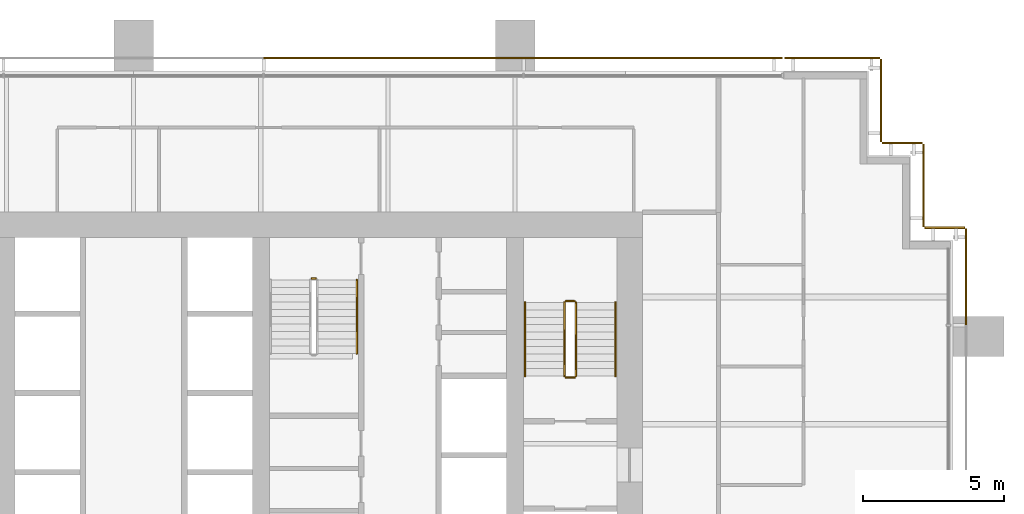
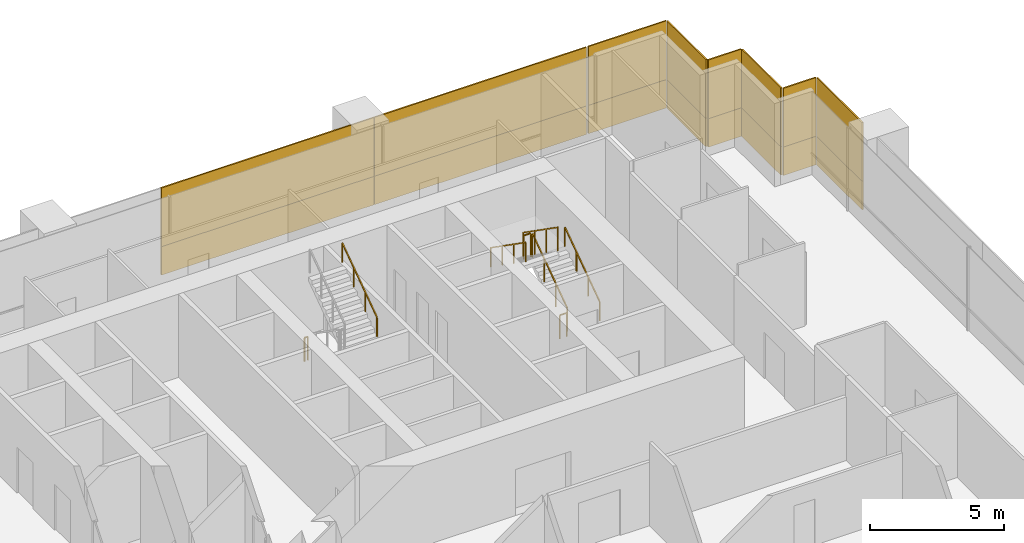
# One storey, part 18 of 18: 16 coverings, 8 railings.
"""IFC4 building model written with IfcOpenShell, lengths in metres."""

from ifc_helpers import new_model, si_unit, direction, frame, origin, origin_2d, place, context, subcontext, project, spatial, rectangle, extrude, material, layer, layer_set, type_object, element, save


model = new_model("IFC4")

# Units and contexts
model_context = context("Model", 3, precision=1e-05, world=origin(), true_north=direction((0.0, 1.0)))
body_context = subcontext(model_context, "Body", "Model", "MODEL_VIEW")
ifc_project = project(units=[si_unit("LENGTHUNIT", "METRE"), si_unit("AREAUNIT", "SQUARE_METRE"), si_unit("VOLUMEUNIT", "CUBIC_METRE"), si_unit("PLANEANGLEUNIT", "RADIAN"), si_unit("MASSUNIT", "GRAM", prefix="KILO")], contexts=[model_context])

# Site, building, storey
site_placement = place(None, origin())
site = spatial("IfcSite", under=ifc_project, at=site_placement, CompositionType="ELEMENT")
building_placement = place(site_placement, origin())
building = spatial("IfcBuilding", under=site, at=building_placement, Name="Rattan Terrace Tower", CompositionType="ELEMENT")
storey_placement = place(building_placement, frame((0.0, 0.0, 134.10009765625)))
storey = spatial("IfcBuildingStorey", under=building, at=storey_placement, Name="L30", CompositionType="ELEMENT", Elevation=134.10009765625)

# Railings
ifc_material_1 = material(Name="Powder-coated steel guard", Category="steel")
railing_type_1 = type_object("IfcRailingType", Name="Core stair guard", PredefinedType="GUARDRAIL", material=ifc_material_1)
railing_1_placement = place(storey_placement, frame((15.64990234375, 1.699951171875, 0.181640625)))
element("IfcRailing", 1, at=railing_1_placement, inside=storey, type_object=railing_type_1, Name="L30 S2 stair guard 1", PredefinedType="GUARDRAIL", context=body_context, shape_type="SweptSolid", body=[
    extrude(rectangle(XDim=0.048095703125, YDim=0.048095703125, at=origin_2d()), frame((0.0, 0.0, 1.076171875), z_axis=(0.0, 0.819484887739, 0.573100792852), x_axis=(-1.0, 0.0, 0.0)), (0.0, 0.0, 1.0), 3.1728515625),
    extrude(rectangle(XDim=0.0419921875, YDim=0.0419921875, at=origin_2d()), origin(), (0.0, 0.0, 1.0), 1.052001953125),
    extrude(rectangle(XDim=0.0419921875, YDim=0.0419921875, at=origin_2d()), frame((0.0, 0.86669921875, 0.606201171875)), (0.0, 0.0, 1.0), 1.052001953125),
    extrude(rectangle(XDim=0.0419921875, YDim=0.0419921875, at=origin_2d()), frame((0.0, 1.7333984375, 1.212158203125)), (0.0, 0.0, 1.0), 1.052001953125),
    extrude(rectangle(XDim=0.0419921875, YDim=0.0419921875, at=origin_2d()), frame((0.0, 2.60009765625, 1.818359375)), (0.0, 0.0, 1.0), 1.052001953125),
])
railing_2_placement = place(storey_placement, frame((15.60009765625, 4.35009765625, 2.0)))
element("IfcRailing", 2, at=railing_2_placement, inside=storey, type_object=railing_type_1, Name="L30 S2 stair guard 2", PredefinedType="GUARDRAIL", context=body_context, shape_type="SweptSolid", body=[
    extrude(rectangle(XDim=0.048095703125, YDim=0.048095703125, at=origin_2d()), frame((0.0, 0.0, 1.076171875), z_axis=(-1.0, 0.0, 0.0), x_axis=(0.0, -1.0, 0.0)), (0.0, 0.0, 1.0), 0.300048828125),
    extrude(rectangle(XDim=0.0419921875, YDim=0.0419921875, at=origin_2d()), origin(), (0.0, 0.0, 1.0), 1.052001953125),
    extrude(rectangle(XDim=0.0419921875, YDim=0.0419921875, at=origin_2d()), frame((-0.300048828125, 0.0, 0.0)), (0.0, 0.0, 1.0), 1.052001953125),
])
railing_3_placement = place(storey_placement, frame((15.25, 4.300048828125, 2.181640625)))
element("IfcRailing", 3, at=railing_3_placement, inside=storey, type_object=railing_type_1, Name="L30 S2 stair guard 3", PredefinedType="GUARDRAIL", context=body_context, shape_type="SweptSolid", body=[
    extrude(rectangle(XDim=0.048095703125, YDim=0.048095703125, at=origin_2d()), frame((0.0, 0.0, 1.076171875), z_axis=(0.0, -0.819484887739, 0.573100792852), x_axis=(1.0, 0.0, 0.0)), (0.0, 0.0, 1.0), 3.1728515625),
    extrude(rectangle(XDim=0.0419921875, YDim=0.0419921875, at=origin_2d()), origin(), (0.0, 0.0, 1.0), 1.052001953125),
    extrude(rectangle(XDim=0.0419921875, YDim=0.0419921875, at=origin_2d()), frame((0.0, -0.86669921875, 0.606201171875)), (0.0, 0.0, 1.0), 1.052001953125),
    extrude(rectangle(XDim=0.0419921875, YDim=0.0419921875, at=origin_2d()), frame((0.0, -1.7333984375, 1.212158203125)), (0.0, 0.0, 1.0), 1.052001953125),
    extrude(rectangle(XDim=0.0419921875, YDim=0.0419921875, at=origin_2d()), frame((0.0, -2.60009765625, 1.818359375)), (0.0, 0.0, 1.0), 1.052001953125),
])
railing_4_placement = place(storey_placement, frame((15.60009765625, 1.64990234375, 0.0)))
element("IfcRailing", 4, at=railing_4_placement, inside=storey, type_object=railing_type_1, Name="L30 S2 stair guard 4", PredefinedType="GUARDRAIL", context=body_context, shape_type="SweptSolid", body=[
    extrude(rectangle(XDim=0.048095703125, YDim=0.048095703125, at=origin_2d()), frame((0.0, 0.0, 1.076171875), z_axis=(-1.0, 0.0, 0.0), x_axis=(0.0, -1.0, 0.0)), (0.0, 0.0, 1.0), 0.300048828125),
    extrude(rectangle(XDim=0.0419921875, YDim=0.0419921875, at=origin_2d()), origin(), (0.0, 0.0, 1.0), 1.052001953125),
    extrude(rectangle(XDim=0.0419921875, YDim=0.0419921875, at=origin_2d()), frame((-0.300048828125, 0.0, 0.0)), (0.0, 0.0, 1.0), 1.052001953125),
])
railing_5_placement = place(storey_placement, frame((6.300048828125, 5.14990234375, 0.0)))
element("IfcRailing", 5, at=railing_5_placement, inside=storey, type_object=railing_type_1, Name="L30 S3 stair guard 4", PredefinedType="GUARDRAIL", context=body_context, shape_type="SweptSolid", body=[
    extrude(rectangle(XDim=0.048095703125, YDim=0.048095703125, at=origin_2d()), frame((0.0, 0.0, 1.076171875), z_axis=(1.0, 0.0, 0.0), x_axis=(0.0, 1.0, 0.0)), (0.0, 0.0, 1.0), 0.14990234375),
    extrude(rectangle(XDim=0.0419921875, YDim=0.0419921875, at=origin_2d()), origin(), (0.0, 0.0, 1.0), 1.052001953125),
    extrude(rectangle(XDim=0.0419921875, YDim=0.0419921875, at=origin_2d()), frame((0.14990234375, 0.0, 0.0)), (0.0, 0.0, 1.0), 1.052001953125),
])
ifc_material_2 = material(Name="Powder-coated steel handrail", Category="steel")
railing_type_2 = type_object("IfcRailingType", Name="Core stair handrail", PredefinedType="HANDRAIL", material=ifc_material_2)
railing_6_placement = place(storey_placement, frame((17.050048828125, 1.699951171875, 0.181640625)))
element("IfcRailing", 6, at=railing_6_placement, inside=storey, type_object=railing_type_2, Name="L30 S2 stair handrail 1", PredefinedType="HANDRAIL", context=body_context, shape_type="SweptSolid", body=[
    extrude(rectangle(XDim=0.048095703125, YDim=0.048095703125, at=origin_2d()), frame((0.0, 0.0, 0.8759765625), z_axis=(0.0, 0.819484887739, 0.573100792852), x_axis=(-1.0, 0.0, 0.0)), (0.0, 0.0, 1.0), 3.1728515625),
    extrude(rectangle(XDim=0.0419921875, YDim=0.0419921875, at=origin_2d()), origin(), (0.0, 0.0, 1.0), 0.851806640625),
    extrude(rectangle(XDim=0.0419921875, YDim=0.0419921875, at=origin_2d()), frame((0.0, 0.86669921875, 0.606201171875)), (0.0, 0.0, 1.0), 0.851806640625),
    extrude(rectangle(XDim=0.0419921875, YDim=0.0419921875, at=origin_2d()), frame((0.0, 1.7333984375, 1.212158203125)), (0.0, 0.0, 1.0), 0.851806640625),
    extrude(rectangle(XDim=0.0419921875, YDim=0.0419921875, at=origin_2d()), frame((0.0, 2.60009765625, 1.818359375)), (0.0, 0.0, 1.0), 0.851806640625),
])
railing_7_placement = place(storey_placement, frame((13.85009765625, 4.300048828125, 2.181640625)))
element("IfcRailing", 7, at=railing_7_placement, inside=storey, type_object=railing_type_2, Name="L30 S2 stair handrail 2", PredefinedType="HANDRAIL", context=body_context, shape_type="SweptSolid", body=[
    extrude(rectangle(XDim=0.048095703125, YDim=0.048095703125, at=origin_2d()), frame((0.0, 0.0, 0.8759765625), z_axis=(0.0, -0.819484887739, 0.573100792852), x_axis=(1.0, 0.0, 0.0)), (0.0, 0.0, 1.0), 3.1728515625),
    extrude(rectangle(XDim=0.0419921875, YDim=0.0419921875, at=origin_2d()), origin(), (0.0, 0.0, 1.0), 0.851806640625),
    extrude(rectangle(XDim=0.0419921875, YDim=0.0419921875, at=origin_2d()), frame((0.0, -0.86669921875, 0.606201171875)), (0.0, 0.0, 1.0), 0.851806640625),
    extrude(rectangle(XDim=0.0419921875, YDim=0.0419921875, at=origin_2d()), frame((0.0, -1.7333984375, 1.212158203125)), (0.0, 0.0, 1.0), 0.851806640625),
    extrude(rectangle(XDim=0.0419921875, YDim=0.0419921875, at=origin_2d()), frame((0.0, -2.60009765625, 1.818359375)), (0.0, 0.0, 1.0), 0.851806640625),
])
railing_8_placement = place(storey_placement, frame((7.89990234375, 2.5, 2.181640625)))
element("IfcRailing", 8, at=railing_8_placement, inside=storey, type_object=railing_type_2, Name="L30 S3 stair handrail 2", PredefinedType="HANDRAIL", context=body_context, shape_type="SweptSolid", body=[
    extrude(rectangle(XDim=0.048095703125, YDim=0.048095703125, at=origin_2d()), frame((0.0, 0.0, 0.8759765625), z_axis=(0.0, 0.819484887739, 0.573100792852), x_axis=(-1.0, 0.0, 0.0)), (0.0, 0.0, 1.0), 3.1728515625),
    extrude(rectangle(XDim=0.0419921875, YDim=0.0419921875, at=origin_2d()), origin(), (0.0, 0.0, 1.0), 0.851806640625),
    extrude(rectangle(XDim=0.0419921875, YDim=0.0419921875, at=origin_2d()), frame((0.0, 0.86669921875, 0.606201171875)), (0.0, 0.0, 1.0), 0.851806640625),
    extrude(rectangle(XDim=0.0419921875, YDim=0.0419921875, at=origin_2d()), frame((0.0, 1.7333984375, 1.212158203125)), (0.0, 0.0, 1.0), 0.851806640625),
    extrude(rectangle(XDim=0.0419921875, YDim=0.0419921875, at=origin_2d()), frame((0.0, 2.60009765625, 1.818359375)), (0.0, 0.0, 1.0), 0.851806640625),
])

# Coverings
ifc_material_3 = material(Name="Solid terracotta", Category="masonry")
ifc_layer_1 = layer(ifc_material_3, 0.06005859375)
ifc_layer_set_1 = layer_set([ifc_layer_1], Name="Facade Terracotta Band Panel")
covering_type_1 = type_object("IfcCoveringType", Name="Facade Terracotta Band Panel", PredefinedType="CLADDING", material=ifc_layer_set_1)
covering_1_placement = place(storey_placement, frame((29.449951171875, 5.2099609375, -0.18994140625), z_axis=(0.0, 0.0, 1.0), x_axis=(0.0, 1.0, 0.0)))
element("IfcCovering", 9, at=covering_1_placement, inside=storey, type_object=covering_type_1, Name="OUTER SKIN panel L30-9A", PredefinedType="CLADDING", context=body_context, shape_type="SweptSolid", body=[
    extrude(rectangle(XDim=3.39990234375, YDim=0.06005859375, at=origin_2d()), origin(), (0.0, 0.0, 1.0), 1.300048828125),
])
covering_2_placement = place(storey_placement, frame((28.699951171875, 6.949951171875, -0.18994140625), z_axis=(0.0, 0.0, 1.0), x_axis=(-1.0, 0.0, 0.0)))
element("IfcCovering", 10, at=covering_2_placement, inside=storey, type_object=covering_type_1, Name="OUTER SKIN panel L30-10A", PredefinedType="CLADDING", context=body_context, shape_type="SweptSolid", body=[
    extrude(rectangle(XDim=1.419921875, YDim=0.06005859375, at=origin_2d()), origin(), (0.0, 0.0, 1.0), 1.300048828125),
])
covering_3_placement = place(storey_placement, frame((27.949951171875, 8.449951171875, -0.18994140625), z_axis=(0.0, 0.0, 1.0), x_axis=(0.0, 1.0, 0.0)))
element("IfcCovering", 11, at=covering_3_placement, inside=storey, type_object=covering_type_1, Name="OUTER SKIN panel L30-11A", PredefinedType="CLADDING", context=body_context, shape_type="SweptSolid", body=[
    extrude(rectangle(XDim=2.919921875, YDim=0.06005859375, at=origin_2d()), origin(), (0.0, 0.0, 1.0), 1.300048828125),
])
covering_4_placement = place(storey_placement, frame((27.199951171875, 9.949951171875, -0.18994140625), z_axis=(0.0, 0.0, 1.0), x_axis=(-1.0, 0.0, 0.0)))
element("IfcCovering", 12, at=covering_4_placement, inside=storey, type_object=covering_type_1, Name="OUTER SKIN panel L30-12A", PredefinedType="CLADDING", context=body_context, shape_type="SweptSolid", body=[
    extrude(rectangle(XDim=1.419921875, YDim=0.06005859375, at=origin_2d()), origin(), (0.0, 0.0, 1.0), 1.300048828125),
])
covering_5_placement = place(storey_placement, frame((26.449951171875, 11.449951171875, -0.18994140625), z_axis=(0.0, 0.0, 1.0), x_axis=(0.0, 1.0, 0.0)))
element("IfcCovering", 13, at=covering_5_placement, inside=storey, type_object=covering_type_1, Name="OUTER SKIN panel L30-13A", PredefinedType="CLADDING", context=body_context, shape_type="SweptSolid", body=[
    extrude(rectangle(XDim=2.919921875, YDim=0.06005859375, at=origin_2d()), origin(), (0.0, 0.0, 1.0), 1.300048828125),
])
covering_6_placement = place(storey_placement, frame((24.72509765625, 12.949951171875, -0.18994140625), z_axis=(0.0, 0.0, 1.0), x_axis=(-1.0, 0.0, 0.0)))
element("IfcCovering", 14, at=covering_6_placement, inside=storey, type_object=covering_type_1, Name="OUTER SKIN panel L30-14A", PredefinedType="CLADDING", context=body_context, shape_type="SweptSolid", body=[
    extrude(rectangle(XDim=3.3701171875, YDim=0.06005859375, at=origin_2d()), origin(), (0.0, 0.0, 1.0), 1.300048828125),
])
covering_7_placement = place(storey_placement, frame((18.384521484375, 12.949951171875, -0.18994140625), z_axis=(0.0, 0.0, 1.0), x_axis=(-1.0, 0.0, 0.0)))
element("IfcCovering", 15, at=covering_7_placement, inside=storey, type_object=covering_type_1, Name="OUTER SKIN panel L30-15A", PredefinedType="CLADDING", context=body_context, shape_type="SweptSolid", body=[
    extrude(rectangle(XDim=9.15087890625, YDim=0.06005859375, at=origin_2d()), origin(), (0.0, 0.0, 1.0), 1.300048828125),
])
covering_8_placement = place(storey_placement, frame((9.198486328125, 12.949951171875, -0.18994140625), z_axis=(0.0, 0.0, 1.0), x_axis=(-1.0, 0.0, 0.0)))
element("IfcCovering", 16, at=covering_8_placement, inside=storey, type_object=covering_type_1, Name="OUTER SKIN panel L30-16A", PredefinedType="CLADDING", context=body_context, shape_type="SweptSolid", body=[
    extrude(rectangle(XDim=9.180908203125, YDim=0.06005859375, at=origin_2d()), origin(), (0.0, 0.0, 1.0), 1.300048828125),
])
ifc_material_4 = material(Name="Perforated terracotta", Category="masonry")
ifc_layer_2 = layer(ifc_material_4, 0.06005859375)
ifc_layer_set_2 = layer_set([ifc_layer_2], Name="Facade Terracotta Screen Panel")
covering_type_2 = type_object("IfcCoveringType", Name="Facade Terracotta Screen Panel", PredefinedType="CLADDING", material=ifc_layer_set_2)
covering_9_placement = place(storey_placement, frame((29.449951171875, 5.2099609375, 1.10986328125), z_axis=(0.0, 0.0, 1.0), x_axis=(0.0, 1.0, 0.0)))
element("IfcCovering", 17, at=covering_9_placement, inside=storey, type_object=covering_type_2, Name="OUTER SKIN panel L30-9B", PredefinedType="CLADDING", context=body_context, shape_type="SweptSolid", body=[
    extrude(rectangle(XDim=3.39990234375, YDim=0.06005859375, at=origin_2d()), origin(), (0.0, 0.0, 1.0), 2.679931640625),
])
covering_10_placement = place(storey_placement, frame((28.699951171875, 6.949951171875, 1.10986328125), z_axis=(0.0, 0.0, 1.0), x_axis=(-1.0, 0.0, 0.0)))
element("IfcCovering", 18, at=covering_10_placement, inside=storey, type_object=covering_type_2, Name="OUTER SKIN panel L30-10B", PredefinedType="CLADDING", context=body_context, shape_type="SweptSolid", body=[
    extrude(rectangle(XDim=1.419921875, YDim=0.06005859375, at=origin_2d()), origin(), (0.0, 0.0, 1.0), 2.679931640625),
])
covering_11_placement = place(storey_placement, frame((27.949951171875, 8.449951171875, 1.10986328125), z_axis=(0.0, 0.0, 1.0), x_axis=(0.0, 1.0, 0.0)))
element("IfcCovering", 19, at=covering_11_placement, inside=storey, type_object=covering_type_2, Name="OUTER SKIN panel L30-11B", PredefinedType="CLADDING", context=body_context, shape_type="SweptSolid", body=[
    extrude(rectangle(XDim=2.919921875, YDim=0.06005859375, at=origin_2d()), origin(), (0.0, 0.0, 1.0), 2.679931640625),
])
covering_12_placement = place(storey_placement, frame((27.199951171875, 9.949951171875, 1.10986328125), z_axis=(0.0, 0.0, 1.0), x_axis=(-1.0, 0.0, 0.0)))
element("IfcCovering", 20, at=covering_12_placement, inside=storey, type_object=covering_type_2, Name="OUTER SKIN panel L30-12B", PredefinedType="CLADDING", context=body_context, shape_type="SweptSolid", body=[
    extrude(rectangle(XDim=1.419921875, YDim=0.06005859375, at=origin_2d()), origin(), (0.0, 0.0, 1.0), 2.679931640625),
])
covering_13_placement = place(storey_placement, frame((26.449951171875, 11.449951171875, 1.10986328125), z_axis=(0.0, 0.0, 1.0), x_axis=(0.0, 1.0, 0.0)))
element("IfcCovering", 21, at=covering_13_placement, inside=storey, type_object=covering_type_2, Name="OUTER SKIN panel L30-13B", PredefinedType="CLADDING", context=body_context, shape_type="SweptSolid", body=[
    extrude(rectangle(XDim=2.919921875, YDim=0.06005859375, at=origin_2d()), origin(), (0.0, 0.0, 1.0), 2.679931640625),
])
covering_14_placement = place(storey_placement, frame((24.72509765625, 12.949951171875, 1.10986328125), z_axis=(0.0, 0.0, 1.0), x_axis=(-1.0, 0.0, 0.0)))
element("IfcCovering", 22, at=covering_14_placement, inside=storey, type_object=covering_type_2, Name="OUTER SKIN panel L30-14B", PredefinedType="CLADDING", context=body_context, shape_type="SweptSolid", body=[
    extrude(rectangle(XDim=3.3701171875, YDim=0.06005859375, at=origin_2d()), origin(), (0.0, 0.0, 1.0), 2.679931640625),
])
covering_15_placement = place(storey_placement, frame((18.384521484375, 12.949951171875, 1.10986328125), z_axis=(0.0, 0.0, 1.0), x_axis=(-1.0, 0.0, 0.0)))
element("IfcCovering", 23, at=covering_15_placement, inside=storey, type_object=covering_type_2, Name="OUTER SKIN panel L30-15B", PredefinedType="CLADDING", context=body_context, shape_type="SweptSolid", body=[
    extrude(rectangle(XDim=9.15087890625, YDim=0.06005859375, at=origin_2d()), origin(), (0.0, 0.0, 1.0), 2.679931640625),
])
covering_16_placement = place(storey_placement, frame((9.198486328125, 12.949951171875, 1.10986328125), z_axis=(0.0, 0.0, 1.0), x_axis=(-1.0, 0.0, 0.0)))
element("IfcCovering", 24, at=covering_16_placement, inside=storey, type_object=covering_type_2, Name="OUTER SKIN panel L30-16B", PredefinedType="CLADDING", context=body_context, shape_type="SweptSolid", body=[
    extrude(rectangle(XDim=9.180908203125, YDim=0.06005859375, at=origin_2d()), origin(), (0.0, 0.0, 1.0), 2.679931640625),
])

save(model, "model.ifc")
